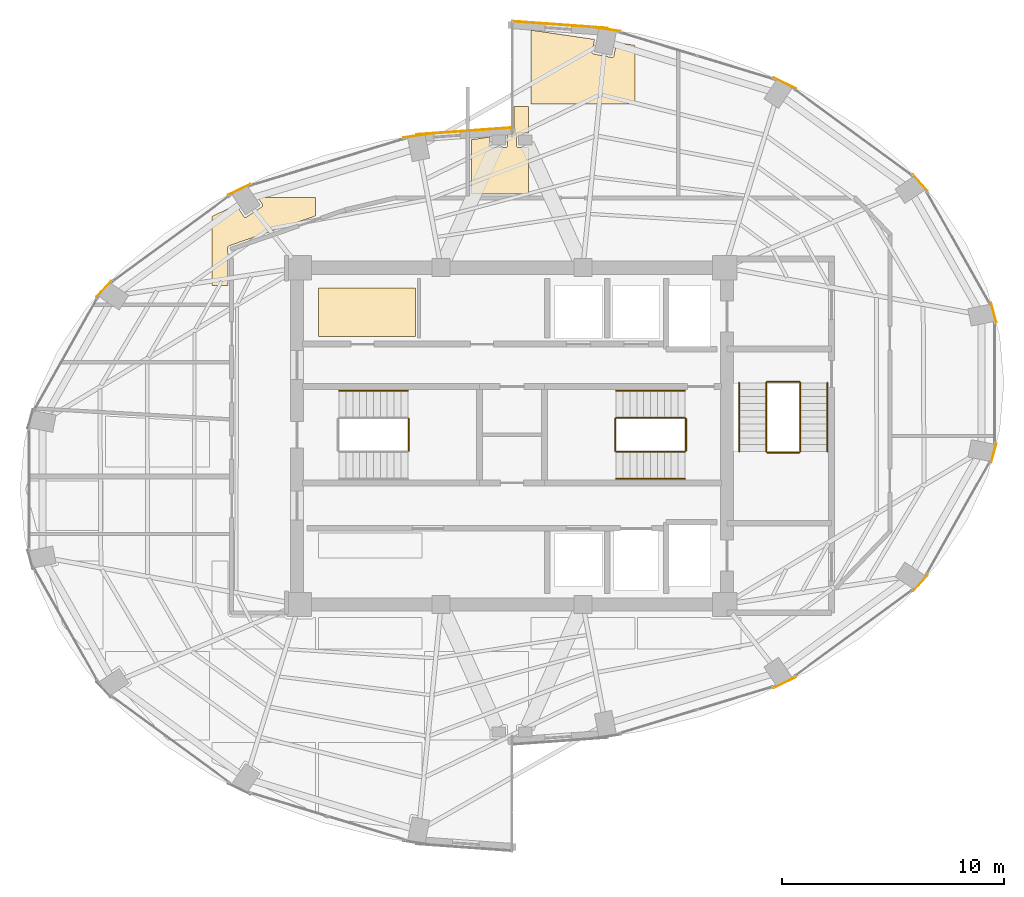
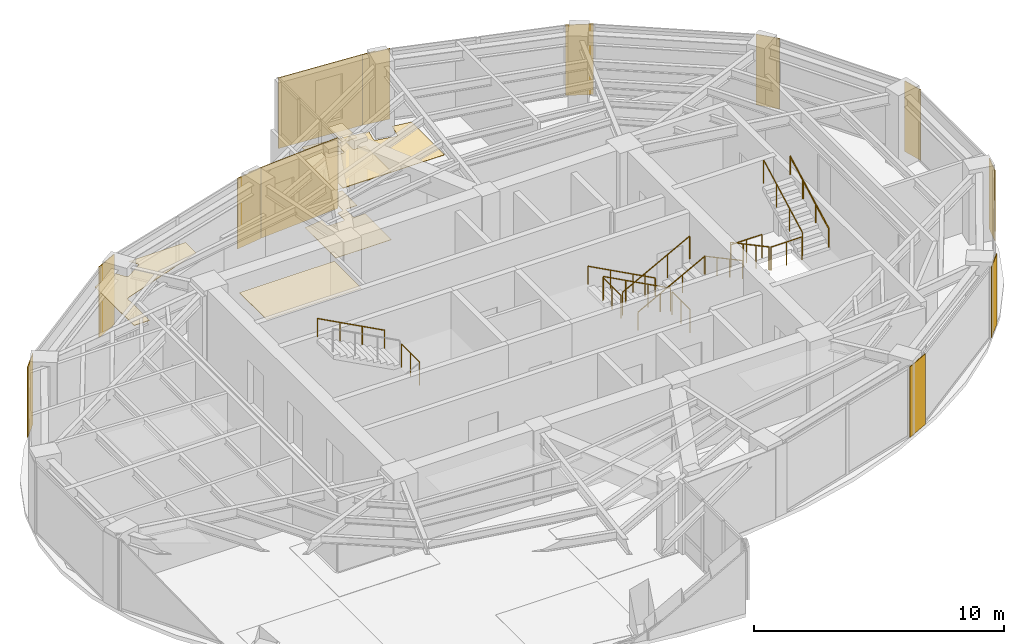
# One storey, part 23 of 23: 17 coverings, 14 railings.
"""IFC4 building model written with IfcOpenShell, lengths in metres."""

import ifcopenshell
import ifcopenshell.guid

model = None  # the IFC model being written
_history = None  # IfcOwnerHistory: only IFC2X3 demands one
_inside = {}  # id of a spatial element -> (the spatial element, [elements in it])
_under = {}  # id of a project, library or spatial element -> (it, [spatial elements below it])
_declared = {}  # id of a project -> (the project, [libraries it declares])
_typed = {}  # id of a type object -> (the type object, [elements of that type])
_made_of = {}  # id of a material, layer set ... -> (it, [elements and type objects made of it])


def new_model(schema):
    """Start an empty IFC model of exactly this schema.

    Asked for "IFC4X3", IfcOpenShell would pick the latest addendum, in which some entities
    have other attributes; the version numbers below select the first issue.
    IFC2X3 requires an IfcOwnerHistory on every rooted entity: one is made here for all.
    """
    global model, _history
    if schema == "IFC4X3":
        model = ifcopenshell.file(schema_version=(4, 3, 0, 0))
    else:
        model = ifcopenshell.file(schema=schema)
    _inside.clear()
    _under.clear()
    _declared.clear()
    _typed.clear()
    _made_of.clear()
    _history = None
    if model.schema == "IFC2X3":
        org = make("IfcOrganization", Name="unknown")
        user = make(
            "IfcPersonAndOrganization",
            ThePerson=make("IfcPerson", FamilyName="unknown"),
            TheOrganization=org,
        )
        app = make(
            "IfcApplication",
            ApplicationDeveloper=org,
            Version="unknown",
            ApplicationFullName="unknown",
            ApplicationIdentifier="unknown",
        )
        _history = make(
            "IfcOwnerHistory",
            OwningUser=user,
            OwningApplication=app,
            ChangeAction="ADDED",
            CreationDate=0,
        )
    return model


def make(cls, **values):
    """One entity of the class cls with the attributes given. An attribute that is None is left unset."""
    return model.create_entity(
        cls, **{name: value for name, value in values.items() if value is not None}
    )


def rooted(cls, **values):
    """An entity with a GlobalId (a new one), such as an element, a storey or a relation."""
    return make(cls, GlobalId=ifcopenshell.guid.new(), OwnerHistory=_history, **values)


def si_unit(unit_type, name, prefix=None):
    """IfcSIUnit, for example si_unit("LENGTHUNIT", "METRE", prefix="MILLI")."""
    return make("IfcSIUnit", UnitType=unit_type, Prefix=prefix, Name=name)


def assignment(units):
    """IfcUnitAssignment: the units of a project."""
    return None if units is None else make("IfcUnitAssignment", Units=units)


def point(xyz):
    """IfcCartesianPoint."""
    return None if xyz is None else make("IfcCartesianPoint", Coordinates=xyz)


def direction(xyz):
    """IfcDirection."""
    return None if xyz is None else make("IfcDirection", DirectionRatios=xyz)


def frame(location, z_axis=None, x_axis=None):
    """IfcAxis2Placement3D, a coordinate frame: its origin and axes. An axis left out is left unset."""
    return make(
        "IfcAxis2Placement3D",
        Location=point(location),
        Axis=direction(z_axis),
        RefDirection=direction(x_axis),
    )


def frame_2d(location, x_axis=None):
    """IfcAxis2Placement2D, a coordinate frame in the plane: its origin and x axis."""
    return make(
        "IfcAxis2Placement2D", Location=point(location), RefDirection=direction(x_axis)
    )


def origin():
    """The frame at (0, 0, 0) with its axes left unset."""
    return frame((0.0, 0.0, 0.0))


def origin_2d():
    """The frame at (0, 0) in the plane with its x axis left unset."""
    return frame_2d((0.0, 0.0))


def place(relative_to, where):
    """IfcLocalPlacement: puts the frame where relative to a parent placement (None: the world)."""
    return make(
        "IfcLocalPlacement", PlacementRelTo=relative_to, RelativePlacement=where
    )


def context(
    kind, dimensions, precision=None, world=None, true_north=None, identifier=None
):
    """IfcGeometricRepresentationContext, for example the 3D "Model" context."""
    return make(
        "IfcGeometricRepresentationContext",
        ContextIdentifier=identifier,
        ContextType=kind,
        CoordinateSpaceDimension=dimensions,
        Precision=precision,
        WorldCoordinateSystem=world,
        TrueNorth=true_north,
    )


def subcontext(parent, identifier, kind, view, scale=None):
    """IfcGeometricRepresentationSubContext, for example "Body" below "Model"."""
    return make(
        "IfcGeometricRepresentationSubContext",
        ContextIdentifier=identifier,
        ContextType=kind,
        ParentContext=parent,
        TargetScale=scale,
        TargetView=view,
    )


def project(units=None, contexts=None):
    """IfcProject with its units and contexts."""
    return rooted(
        "IfcProject",
        Name="project",
        RepresentationContexts=contexts,
        UnitsInContext=assignment(units),
    )


def spatial(cls, under=None, at=None, **own):
    """A site, building, storey or space (cls), placed at a placement, below another one or the project."""
    s = rooted(cls, ObjectPlacement=at, **own)
    if under is not None:
        _under.setdefault(under.id(), (under, []))[1].append(s)
    return s


def polyline(points):
    """IfcPolyline through the points."""
    return make("IfcPolyline", Points=[point(p) for p in points])


def profile(cls, at=None, kind="AREA", **sizes):
    """A parametric profile (cls). Its sizes go by their IFC names, for example OverallWidth=200.0."""
    return make(cls, ProfileType=kind, Position=at, **sizes)


def rectangle(**sizes):
    """IfcRectangleProfileDef."""
    return profile("IfcRectangleProfileDef", **sizes)


def circle(**sizes):
    """IfcCircleProfileDef."""
    return profile("IfcCircleProfileDef", **sizes)


def outline(outer, holes=None, kind="AREA"):
    """IfcArbitraryClosedProfileDef: a profile drawn as a closed curve; with holes, ...WithVoids."""
    if holes is None:
        return make("IfcArbitraryClosedProfileDef", ProfileType=kind, OuterCurve=outer)
    return make(
        "IfcArbitraryProfileDefWithVoids",
        ProfileType=kind,
        OuterCurve=outer,
        InnerCurves=holes,
    )


def extrude(swept, where, along, depth):
    """IfcExtrudedAreaSolid: the profile swept, set in the frame where, extruded along a direction by depth."""
    return make(
        "IfcExtrudedAreaSolid",
        SweptArea=swept,
        Position=where,
        ExtrudedDirection=direction(along),
        Depth=depth,
    )


def shape(context_of_items, identifier, shape_type, items):
    """IfcShapeRepresentation: the items that make up one representation, for example the "Body"."""
    return make(
        "IfcShapeRepresentation",
        ContextOfItems=context_of_items,
        RepresentationIdentifier=identifier,
        RepresentationType=shape_type,
        Items=items,
    )


def material(Name=None, Category=None):
    """IfcMaterial."""
    return make("IfcMaterial", Name=Name, Category=Category)


def layer(
    of_material, thickness, ventilated=None, Name=None, Category=None, Priority=None
):
    """IfcMaterialLayer: one layer of a wall or slab, of a material (None: an air gap)."""
    return make(
        "IfcMaterialLayer",
        Material=of_material,
        LayerThickness=thickness,
        IsVentilated=ventilated,
        Name=Name,
        Category=Category,
        Priority=Priority,
    )


def layer_set(layers, Name=None):
    """IfcMaterialLayerSet."""
    return make("IfcMaterialLayerSet", MaterialLayers=layers, LayerSetName=Name)


def made_of(thing, what):
    """Note that an element or type object is made of a material, layer set ...; save() writes the relation."""
    if what is not None:
        _made_of.setdefault(what.id(), (what, []))[1].append(thing)
    return thing


def type_object(cls, material=None, **own):
    """A type object (cls), such as IfcWallType, which elements share."""
    return made_of(rooted(cls, **own), material)


def element(
    cls,
    number,
    at=None,
    inside=None,
    cuts=None,
    type_object=None,
    material=None,
    context=None,
    identifier="Body",
    shape_type=None,
    held_by="IfcProductDefinitionShape",
    body=None,
    shapes=None,
    **own,
):
    """One element of the class cls, such as IfcWall. Its Tag is "e" and its number.

    at: its placement. inside: the storey or other place that contains it. cuts: it is an
    opening in that element (IfcRelVoidsElement). A single representation is given by context,
    identifier, shape_type and body (its items); several are given by shapes. held_by: the class
    of the entity that holds the representations. save() writes the other relations.
    """
    e = rooted(cls, Tag="e%d" % number, ObjectPlacement=at, **own)
    if body is not None:
        shapes = [shape(context, identifier, shape_type, body)]
    if shapes is not None:
        e.Representation = make(held_by, Representations=shapes)
    if inside is not None:
        _inside.setdefault(inside.id(), (inside, []))[1].append(e)
    if cuts is not None:
        rooted(
            "IfcRelVoidsElement", RelatingBuildingElement=cuts, RelatedOpeningElement=e
        )
    if type_object is not None:
        _typed.setdefault(type_object.id(), (type_object, []))[1].append(e)
    return made_of(e, material)


def aggregate(whole, parts):
    """IfcRelAggregates: a whole, such as a stair, and the parts it consists of."""
    return rooted("IfcRelAggregates", RelatingObject=whole, RelatedObjects=parts)


def save(model, path):
    """Write the relations noted so far, then the file.

    IfcRelAggregates (storeys below a building ...), IfcRelContainedInSpatialStructure (elements
    in a storey), IfcRelDefinesByType, IfcRelAssociatesMaterial and IfcRelDeclares: one each for
    every whole, place, type object, material and project.
    """
    for whole, parts in _under.values():
        aggregate(whole, parts)
    for where, things in _inside.values():
        rooted(
            "IfcRelContainedInSpatialStructure",
            RelatedElements=things,
            RelatingStructure=where,
        )
    for kind, things in _typed.values():
        rooted("IfcRelDefinesByType", RelatedObjects=things, RelatingType=kind)
    for what, things in _made_of.values():
        rooted("IfcRelAssociatesMaterial", RelatedObjects=things, RelatingMaterial=what)
    for by, libraries in _declared.values():
        rooted("IfcRelDeclares", RelatingContext=by, RelatedDefinitions=libraries)
    model.write(path)


model = new_model("IFC4")

# Units and contexts
model_context = context("Model", 3, precision=1e-05, world=origin(), true_north=direction((0.0, 1.0)))
body_context = subcontext(model_context, "Body", "Model", "MODEL_VIEW")
ifc_project = project(units=[si_unit("LENGTHUNIT", "METRE"), si_unit("AREAUNIT", "SQUARE_METRE"), si_unit("VOLUMEUNIT", "CUBIC_METRE"), si_unit("PLANEANGLEUNIT", "RADIAN"), si_unit("MASSUNIT", "GRAM", prefix="KILO")], contexts=[model_context])

# Site, building, storey
site_placement = place(None, origin())
site = spatial("IfcSite", under=ifc_project, at=site_placement, CompositionType="ELEMENT")
building_placement = place(site_placement, origin())
building = spatial("IfcBuilding", under=site, at=building_placement, Name="Lazwardi Medical Tower", CompositionType="ELEMENT")
storey_placement = place(building_placement, frame((0.0, 0.0, 205.77587890625)))
storey = spatial("IfcBuildingStorey", under=building, at=storey_placement, Name="L53", CompositionType="ELEMENT", Elevation=205.77587890625)

# Coverings
ifc_material_1 = material(Name="Anodised bronze aluminium cassette cladding", Category="aluminium")
ifc_layer_1 = layer(ifc_material_1, 0.030029296875)
ifc_layer_set_1 = layer_set([ifc_layer_1], Name="Anodised bronze aluminium cassette cladding")
covering_type_1 = type_object("IfcCoveringType", Name="COV-CLD-BRZ", PredefinedType="CLADDING", material=ifc_layer_set_1)
covering_1_placement = place(storey_placement, frame((48.311279296875, 16.878662109375, 0.0), z_axis=(0.0, 0.0, 1.0), x_axis=(0.897840141691, 0.440321564278, 0.0)))
element("IfcCovering", 1, at=covering_1_placement, inside=storey, type_object=covering_type_1, Name="L53 Mega-column bronze cassette cover M02", PredefinedType="CLADDING", context=body_context, shape_type="SweptSolid", body=[
    extrude(rectangle(XDim=1.110595703125, YDim=0.030029296875, at=origin_2d()), origin(), (0.0, 0.0, 1.0), 3.447998046875),
])
covering_2_placement = place(storey_placement, frame((54.42529296875, 21.365234375, 0.0), z_axis=(0.0, 0.0, 1.0), x_axis=(0.673240970654, 0.739423150458, 0.0)))
element("IfcCovering", 2, at=covering_2_placement, inside=storey, type_object=covering_type_1, Name="L53 Mega-column bronze cassette cover M03", PredefinedType="CLADDING", context=body_context, shape_type="SweptSolid", body=[
    extrude(rectangle(XDim=0.98974609375, YDim=0.030029296875, at=origin_2d()), origin(), (0.0, 0.0, 1.0), 3.447998046875),
])
for number, where, z_axis, x_axis, name in (
    (3, (57.734130859375, 27.227294921875, 0.0), (0.0, 0.0, 1.0), (0.261641748247, 0.96516506131, 0.0), "L53 Mega-column bronze cassette cover M04"),
    (4, (57.734130859375, 33.572509765625, 0.0), (0.0, 0.0, 1.0), (-0.261641748247, 0.96516506131, 0.0), "L53 Mega-column bronze cassette cover M05"),
):
    element("IfcCovering", number, at=place(storey_placement, frame(where, z_axis=z_axis, x_axis=x_axis)), inside=storey, type_object=covering_type_1, Name=name, PredefinedType="CLADDING", context=body_context, shape_type="SweptSolid", body=[
        extrude(rectangle(XDim=0.894287109375, YDim=0.030029296875, at=origin_2d()), origin(), (0.0, 0.0, 1.0), 3.447998046875),
    ])
covering_3_placement = place(storey_placement, frame((54.42529296875, 39.434814453125, 0.0), z_axis=(0.0, 0.0, 1.0), x_axis=(-0.673240970654, 0.739423150458, 0.0)))
element("IfcCovering", 5, at=covering_3_placement, inside=storey, type_object=covering_type_1, Name="L53 Mega-column bronze cassette cover M06", PredefinedType="CLADDING", context=body_context, shape_type="SweptSolid", body=[
    extrude(rectangle(XDim=0.98974609375, YDim=0.030029296875, at=origin_2d()), origin(), (0.0, 0.0, 1.0), 3.447998046875),
])
covering_4_placement = place(storey_placement, frame((48.311279296875, 43.92138671875, 0.0), z_axis=(0.0, 0.0, 1.0), x_axis=(-0.897840141691, 0.440321564278, 0.0)))
element("IfcCovering", 6, at=covering_4_placement, inside=storey, type_object=covering_type_1, Name="L53 Mega-column bronze cassette cover M07", PredefinedType="CLADDING", context=body_context, shape_type="SweptSolid", body=[
    extrude(rectangle(XDim=1.110595703125, YDim=0.030029296875, at=origin_2d()), origin(), (0.0, 0.0, 1.0), 3.447998046875),
])
for number, where, z_axis, x_axis, name in (
    (7, (40.3232421875, 46.349609375, 0.0), (0.0, 0.0, 1.0), (-0.989512431533, 0.144447733943, 0.0), "L53 Mega-column bronze cassette cover M08"),
    (8, (31.6767578125, 41.549560546875, 0.0), (0.0, 0.0, 1.0), (-0.989512431533, -0.144447733943, 0.0), "L53 Mega-column bronze cassette cover M09"),
):
    element("IfcCovering", number, at=place(storey_placement, frame(where, z_axis=z_axis, x_axis=x_axis)), inside=storey, type_object=covering_type_1, Name=name, PredefinedType="CLADDING", context=body_context, shape_type="SweptSolid", body=[
        extrude(rectangle(XDim=1.188720703125, YDim=0.030029296875, at=origin_2d()), origin(), (0.0, 0.0, 1.0), 3.447998046875),
    ])
covering_5_placement = place(storey_placement, frame((23.688720703125, 39.121337890625, 0.0), z_axis=(0.0, 0.0, 1.0), x_axis=(-0.897840141691, -0.440321564278, 0.0)))
element("IfcCovering", 9, at=covering_5_placement, inside=storey, type_object=covering_type_1, Name="L53 Mega-column bronze cassette cover M10", PredefinedType="CLADDING", context=body_context, shape_type="SweptSolid", body=[
    extrude(rectangle(XDim=1.110595703125, YDim=0.030029296875, at=origin_2d()), origin(), (0.0, 0.0, 1.0), 3.447998046875),
])
covering_6_placement = place(storey_placement, frame((17.57470703125, 34.634765625, 0.0), z_axis=(0.0, 0.0, 1.0), x_axis=(-0.673240970654, -0.739423150458, 0.0)))
element("IfcCovering", 10, at=covering_6_placement, inside=storey, type_object=covering_type_1, Name="L53 Mega-column bronze cassette cover M11", PredefinedType="CLADDING", context=body_context, shape_type="SweptSolid", body=[
    extrude(rectangle(XDim=0.98974609375, YDim=0.030029296875, at=origin_2d()), origin(), (0.0, 0.0, 1.0), 3.447998046875),
])
ifc_material_2 = material(Name="Turquoise glazed ceramic tilework cladding", Category="masonry")
ifc_layer_2 = layer(ifc_material_2, 0.034912109375)
ifc_layer_set_2 = layer_set([ifc_layer_2], Name="Turquoise glazed ceramic tilework cladding")
covering_type_2 = type_object("IfcCoveringType", Name="COV-CLD-TRQ", PredefinedType="CLADDING", material=ifc_layer_set_2)
covering_7_placement = place(storey_placement, frame((38.16259765625, 46.56005859375, 0.0), z_axis=(0.0, 0.0, 1.0), x_axis=(-0.997409491337, 0.071932653157, 0.0)))
element("IfcCovering", 11, at=covering_7_placement, inside=storey, type_object=covering_type_2, Name="L53 Turquoise glazed ceramic tilework cladding", PredefinedType="CLADDING", context=body_context, shape_type="SweptSolid", body=[
    extrude(rectangle(XDim=4.31103515625, YDim=0.034912109375, at=origin_2d()), origin(), (0.0, 0.0, 1.0), 3.447998046875),
])
covering_8_placement = place(storey_placement, frame((33.83740234375, 41.760009765625, 0.0), z_axis=(0.0, 0.0, 1.0), x_axis=(-0.997408989128, -0.071939616387, 0.0)))
element("IfcCovering", 12, at=covering_8_placement, inside=storey, type_object=covering_type_2, Name="L53 Turquoise glazed ceramic tilework cladding", PredefinedType="CLADDING", context=body_context, shape_type="SweptSolid", body=[
    extrude(rectangle(XDim=4.310546875, YDim=0.034912109375, at=origin_2d()), origin(), (0.0, 0.0, 1.0), 3.447998046875),
])
ifc_material_3 = material(Name="Acoustic mineral fibre tile")
ifc_layer_3 = layer(ifc_material_3, 0.02490234375)
ifc_layer_set_3 = layer_set([ifc_layer_3], Name="Acoustic mineral fibre tile")
covering_type_3 = type_object("IfcCoveringType", Name="COV-CLG-01", PredefinedType="CEILING", material=ifc_layer_set_3)
covering_9_placement = place(storey_placement, frame((0.0, 0.0, 3.30322265625)))
element("IfcCovering", 13, at=covering_9_placement, inside=storey, type_object=covering_type_3, Name="L53 Clinical Acoustic Ceiling 5", PredefinedType="CEILING", context=body_context, shape_type="SweptSolid", body=[
    extrude(outline(polyline([(24.52197265625, 38.7724609375), (24.732177734375, 38.4580078125), (24.736083984375, 38.451171875), (24.739501953125, 38.444091796875), (24.7421875, 38.436767578125), (24.744140625, 38.42919921875), (24.7451171875, 38.42138671875), (24.74560546875, 38.41357421875), (24.7451171875, 38.40576171875), (24.744140625, 38.39794921875), (24.7421875, 38.390380859375), (24.739501953125, 38.3828125), (24.736083984375, 38.375732421875), (24.732177734375, 38.369140625), (24.727294921875, 38.36279296875), (24.72216796875, 38.35693359375), (24.71630859375, 38.351806640625), (24.7099609375, 38.346923828125), (24.01171875, 37.88037109375), (24.0048828125, 37.876220703125), (23.997802734375, 37.872802734375), (23.990478515625, 37.8701171875), (23.98291015625, 37.868408203125), (23.97509765625, 37.8671875), (23.96728515625, 37.86669921875), (23.95947265625, 37.8671875), (23.95166015625, 37.868408203125), (23.944091796875, 37.8701171875), (23.9365234375, 37.872802734375), (23.929443359375, 37.876220703125), (23.9228515625, 37.88037109375), (23.91650390625, 37.885009765625), (23.91064453125, 37.89013671875), (23.905517578125, 37.89599609375), (23.900634765625, 37.90234375), (23.545654296875, 38.43359375), (22.462890625, 37.904052734375), (22.462890625, 34.79248046875), (23.175048828125, 34.79248046875), (23.175048828125, 35.982421875), (23.175048828125, 35.986572265625), (23.175537109375, 35.99609375), (23.176513671875, 36.00439453125), (23.177978515625, 36.01416015625), (23.179443359375, 36.021484375), (23.181884765625, 36.031005859375), (23.1845703125, 36.039306640625), (23.18798828125, 36.04833984375), (23.191162109375, 36.055419921875), (23.1953125, 36.064208984375), (23.199462890625, 36.071533203125), (23.20458984375, 36.079833984375), (23.209228515625, 36.086181640625), (23.212158203125, 36.090087890625), (23.1591796875, 36.40625), (23.15869140625, 36.410400390625), (23.15771484375, 36.419921875), (23.156982421875, 36.42724609375), (23.156982421875, 36.436767578125), (23.1572265625, 36.446044921875), (23.158203125, 36.45556640625), (23.1591796875, 36.462158203125), (23.160888671875, 36.4716796875), (23.162841796875, 36.480224609375), (23.16552734375, 36.4892578125), (23.16796875, 36.49658203125), (23.171630859375, 36.50537109375), (23.1748046875, 36.512451171875), (23.17919921875, 36.52099609375), (23.183837890625, 36.5283203125), (23.189208984375, 36.536376953125), (23.19384765625, 36.54248046875), (23.199951171875, 36.550048828125), (23.205078125, 36.5556640625), (23.211669921875, 36.5625), (23.218017578125, 36.56787109375), (23.225341796875, 36.573974609375), (23.2314453125, 36.57861328125), (23.239501953125, 36.583740234375), (23.24658203125, 36.587890625), (23.2548828125, 36.59228515625), (23.2626953125, 36.595947265625), (23.271728515625, 36.599365234375), (23.27490234375, 36.6005859375), (27.142822265625, 37.932861328125), (27.142822265625, 38.7724609375), (24.52197265625, 38.7724609375)])), origin(), (0.0, 0.0, 1.0), 0.02490234375),
])
covering_10_placement = place(storey_placement, frame((0.0, 0.0, 3.30322265625)))
element("IfcCovering", 14, at=covering_10_placement, inside=storey, type_object=covering_type_3, Name="L53 Clinical Acoustic Ceiling 7", PredefinedType="CEILING", context=body_context, shape_type="SweptSolid", body=[
    extrude(outline(polyline([(27.262939453125, 32.5), (31.639892578125, 32.5), (31.639892578125, 34.672607421875), (27.262939453125, 34.672607421875), (27.262939453125, 32.5)])), origin(), (0.0, 0.0, 1.0), 0.02490234375),
])
covering_11_placement = place(storey_placement, frame((0.0, 0.0, 3.30322265625)))
element("IfcCovering", 15, at=covering_11_placement, inside=storey, type_object=covering_type_3, Name="L53 Clinical Acoustic Ceiling 9", PredefinedType="CEILING", context=body_context, shape_type="SweptSolid", body=[
    extrude(outline(polyline([(36.742919921875, 41.02490234375), (36.280029296875, 41.02490234375), (36.272216796875, 41.025390625), (36.264404296875, 41.026611328125), (36.2568359375, 41.0283203125), (36.24951171875, 41.031005859375), (36.2421875, 41.034423828125), (36.235595703125, 41.03857421875), (36.229248046875, 41.043212890625), (36.223388671875, 41.04833984375), (36.21826171875, 41.05419921875), (36.21337890625, 41.060546875), (36.20947265625, 41.0673828125), (36.2060546875, 41.074462890625), (36.203369140625, 41.081787109375), (36.201416015625, 41.08935546875), (36.200439453125, 41.09716796875), (36.199951171875, 41.10498046875), (36.199951171875, 41.594970703125), (36.200439453125, 41.602783203125), (36.201416015625, 41.610595703125), (36.203369140625, 41.6181640625), (36.2060546875, 41.62548828125), (36.20947265625, 41.6328125), (36.21337890625, 41.639404296875), (36.21826171875, 41.645751953125), (36.223388671875, 41.651611328125), (36.229248046875, 41.65673828125), (36.235595703125, 41.66162109375), (36.2421875, 41.66552734375), (36.24951171875, 41.6689453125), (36.2568359375, 41.671630859375), (36.264404296875, 41.673583984375), (36.272216796875, 41.674560546875), (36.280029296875, 41.675048828125), (36.742919921875, 41.675048828125), (36.742919921875, 42.87255859375), (36.080078125, 42.87255859375), (36.080078125, 41.719970703125), (36.07958984375, 41.71240234375), (36.07861328125, 41.704833984375), (36.076904296875, 41.697509765625), (36.07421875, 41.690185546875), (36.071044921875, 41.683349609375), (36.0673828125, 41.6767578125), (36.06298828125, 41.670654296875), (36.05810546875, 41.664794921875), (36.052490234375, 41.65966796875), (36.04638671875, 41.65478515625), (36.0400390625, 41.65087890625), (36.033203125, 41.647216796875), (36.0263671875, 41.644287109375), (36.01904296875, 41.642333984375), (36.011474609375, 41.640869140625), (35.798583984375, 41.60986328125), (35.799560546875, 41.602783203125), (35.800048828125, 41.594970703125), (35.800048828125, 41.10498046875), (35.799560546875, 41.09716796875), (35.798583984375, 41.08935546875), (35.796630859375, 41.081787109375), (35.7939453125, 41.074462890625), (35.79052734375, 41.0673828125), (35.78662109375, 41.060546875), (35.78173828125, 41.05419921875), (35.776611328125, 41.04833984375), (35.770751953125, 41.043212890625), (35.764404296875, 41.03857421875), (35.7578125, 41.034423828125), (35.75048828125, 41.031005859375), (35.7431640625, 41.0283203125), (35.735595703125, 41.026611328125), (35.727783203125, 41.025390625), (35.719970703125, 41.02490234375), (35.080078125, 41.02490234375), (35.072265625, 41.025390625), (35.064453125, 41.026611328125), (35.056884765625, 41.0283203125), (35.04931640625, 41.031005859375), (35.042236328125, 41.034423828125), (35.03564453125, 41.03857421875), (35.029296875, 41.043212890625), (35.0234375, 41.04833984375), (35.018310546875, 41.05419921875), (35.013427734375, 41.060546875), (35.009521484375, 41.0673828125), (35.006103515625, 41.074462890625), (35.00341796875, 41.081787109375), (35.00146484375, 41.08935546875), (35.00048828125, 41.09716796875), (35.0, 41.10498046875), (35.0, 41.493408203125), (34.1650390625, 41.371826171875), (34.1650390625, 38.925048828125), (36.742919921875, 38.925048828125), (36.742919921875, 41.02490234375)])), origin(), (0.0, 0.0, 1.0), 0.02490234375),
])
ifc_material_4 = material(Name="Anti-static hospital vinyl sheet flooring")
ifc_layer_4 = layer(ifc_material_4, 0.014892578125)
ifc_layer_set_4 = layer_set([ifc_layer_4], Name="Anti-static hospital vinyl sheet flooring")
covering_type_4 = type_object("IfcCoveringType", Name="COV-FLR-01", PredefinedType="FLOORING", material=ifc_layer_set_4)
covering_12_placement = place(storey_placement, origin())
element("IfcCovering", 16, at=covering_12_placement, inside=storey, type_object=covering_type_4, Name="L53 Clinical Vinyl Flooring 8", PredefinedType="FLOORING", context=body_context, shape_type="SweptSolid", body=[
    extrude(outline(polyline([(36.742919921875, 41.02490234375), (36.280029296875, 41.02490234375), (36.272216796875, 41.025390625), (36.264404296875, 41.026611328125), (36.2568359375, 41.0283203125), (36.24951171875, 41.031005859375), (36.2421875, 41.034423828125), (36.235595703125, 41.03857421875), (36.229248046875, 41.043212890625), (36.223388671875, 41.04833984375), (36.21826171875, 41.05419921875), (36.21337890625, 41.060546875), (36.20947265625, 41.0673828125), (36.2060546875, 41.074462890625), (36.203369140625, 41.081787109375), (36.201416015625, 41.08935546875), (36.200439453125, 41.09716796875), (36.199951171875, 41.10498046875), (36.199951171875, 41.594970703125), (36.200439453125, 41.602783203125), (36.201416015625, 41.610595703125), (36.203369140625, 41.6181640625), (36.2060546875, 41.62548828125), (36.20947265625, 41.6328125), (36.21337890625, 41.639404296875), (36.21826171875, 41.645751953125), (36.223388671875, 41.651611328125), (36.229248046875, 41.65673828125), (36.235595703125, 41.66162109375), (36.2421875, 41.66552734375), (36.24951171875, 41.6689453125), (36.2568359375, 41.671630859375), (36.264404296875, 41.673583984375), (36.272216796875, 41.674560546875), (36.280029296875, 41.675048828125), (36.742919921875, 41.675048828125), (36.742919921875, 42.87255859375), (36.080078125, 42.87255859375), (36.080078125, 41.719970703125), (36.07958984375, 41.71240234375), (36.07861328125, 41.704833984375), (36.076904296875, 41.697509765625), (36.07421875, 41.690185546875), (36.071044921875, 41.683349609375), (36.0673828125, 41.6767578125), (36.06298828125, 41.670654296875), (36.05810546875, 41.664794921875), (36.052490234375, 41.65966796875), (36.04638671875, 41.65478515625), (36.0400390625, 41.65087890625), (36.033203125, 41.647216796875), (36.0263671875, 41.644287109375), (36.01904296875, 41.642333984375), (36.011474609375, 41.640869140625), (35.798583984375, 41.60986328125), (35.799560546875, 41.602783203125), (35.800048828125, 41.594970703125), (35.800048828125, 41.10498046875), (35.799560546875, 41.09716796875), (35.798583984375, 41.08935546875), (35.796630859375, 41.081787109375), (35.7939453125, 41.074462890625), (35.79052734375, 41.0673828125), (35.78662109375, 41.060546875), (35.78173828125, 41.05419921875), (35.776611328125, 41.04833984375), (35.770751953125, 41.043212890625), (35.764404296875, 41.03857421875), (35.7578125, 41.034423828125), (35.75048828125, 41.031005859375), (35.7431640625, 41.0283203125), (35.735595703125, 41.026611328125), (35.727783203125, 41.025390625), (35.719970703125, 41.02490234375), (35.080078125, 41.02490234375), (35.072265625, 41.025390625), (35.064453125, 41.026611328125), (35.056884765625, 41.0283203125), (35.04931640625, 41.031005859375), (35.042236328125, 41.034423828125), (35.03564453125, 41.03857421875), (35.029296875, 41.043212890625), (35.0234375, 41.04833984375), (35.018310546875, 41.05419921875), (35.013427734375, 41.060546875), (35.009521484375, 41.0673828125), (35.006103515625, 41.074462890625), (35.00341796875, 41.081787109375), (35.00146484375, 41.08935546875), (35.00048828125, 41.09716796875), (35.0, 41.10498046875), (35.0, 41.493408203125), (34.1650390625, 41.371826171875), (34.1650390625, 38.925048828125), (36.742919921875, 38.925048828125), (36.742919921875, 41.02490234375)])), origin(), (0.0, 0.0, 1.0), 0.01513671875),
])
covering_13_placement = place(storey_placement, origin())
element("IfcCovering", 17, at=covering_13_placement, inside=storey, type_object=covering_type_4, Name="L53 Clinical Vinyl Flooring 10", PredefinedType="FLOORING", context=body_context, shape_type="SweptSolid", body=[
    extrude(outline(polyline([(41.54296875, 45.632080078125), (40.714599609375, 45.752685546875), (40.59326171875, 45.1416015625), (40.59130859375, 45.134033203125), (40.588623046875, 45.126708984375), (40.585205078125, 45.11962890625), (40.581298828125, 45.11279296875), (40.576416015625, 45.1064453125), (40.5712890625, 45.1005859375), (40.5654296875, 45.095458984375), (40.55908203125, 45.0908203125), (40.552490234375, 45.086669921875), (40.54541015625, 45.08349609375), (40.537841796875, 45.080810546875), (40.5302734375, 45.078857421875), (40.5224609375, 45.07763671875), (40.5146484375, 45.077392578125), (40.5068359375, 45.07763671875), (40.4990234375, 45.078857421875), (39.67529296875, 45.24267578125), (39.667724609375, 45.24462890625), (39.660400390625, 45.247314453125), (39.6533203125, 45.25048828125), (39.646484375, 45.254638671875), (39.64013671875, 45.259521484375), (39.63427734375, 45.2646484375), (39.629150390625, 45.2705078125), (39.62451171875, 45.27685546875), (39.620361328125, 45.283447265625), (39.616943359375, 45.29052734375), (39.6142578125, 45.298095703125), (39.6123046875, 45.3056640625), (39.611328125, 45.3134765625), (39.61083984375, 45.3212890625), (39.611328125, 45.3291015625), (39.6123046875, 45.3369140625), (39.723876953125, 45.89697265625), (36.86279296875, 46.3134765625), (36.86279296875, 42.992431640625), (41.54296875, 42.992431640625), (41.54296875, 45.632080078125)])), origin(), (0.0, 0.0, 1.0), 0.01513671875),
])

# Railings
ifc_material_5 = material(Name="Stainless steel Grade 316", Category="steel")
railing_type_1 = type_object("IfcRailingType", Name="RLG-GRD-1150", PredefinedType="GUARDRAIL", material=ifc_material_5)
railing_1_placement = place(storey_placement, frame((31.35009765625, 27.340087890625, 1.82421875)))
element("IfcRailing", 18, at=railing_1_placement, inside=storey, type_object=railing_type_1, Name="L53 ST1 stair guard 2", PredefinedType="GUARDRAIL", context=body_context, shape_type="SweptSolid", body=[
    extrude(circle(Radius=0.02392578125, at=origin_2d()), frame((0.0, 0.0, 1.1259765625), z_axis=(0.0, 1.0, 0.0), x_axis=(-1.0, 0.0, 0.0)), (0.0, 0.0, 1.0), 1.43994140625),
    extrude(circle(Radius=0.02099609375, at=origin_2d()), origin(), (0.0, 0.0, 1.0), 1.099853515625),
    extrude(circle(Radius=0.02099609375, at=origin_2d()), frame((0.0, 0.719970703125, 0.0)), (0.0, 0.0, 1.0), 1.099853515625),
    extrude(circle(Radius=0.02099609375, at=origin_2d()), frame((0.0, 1.43994140625, 0.0)), (0.0, 0.0, 1.0), 1.099853515625),
])
railing_2_placement = place(storey_placement, frame((43.800048828125, 28.830078125, 0.166015625)))
element("IfcRailing", 19, at=railing_2_placement, inside=storey, type_object=railing_type_1, Name="L53 ST2 stair guard 1", PredefinedType="GUARDRAIL", context=body_context, shape_type="SweptSolid", body=[
    extrude(circle(Radius=0.02392578125, at=origin_2d()), frame((0.0, 0.0, 1.1259765625), z_axis=(-0.881783298633, 0.0, 0.471654761719), x_axis=(0.0, -1.0, 0.0)), (0.0, 0.0, 1.0), 3.515625),
    extrude(circle(Radius=0.02099609375, at=origin_2d()), origin(), (0.0, 0.0, 1.0), 1.099853515625),
    extrude(circle(Radius=0.02099609375, at=origin_2d()), frame((-1.033447265625, 0.0, 0.552734375)), (0.0, 0.0, 1.0), 1.099853515625),
    extrude(circle(Radius=0.02099609375, at=origin_2d()), frame((-2.066650390625, 0.0, 1.10546875)), (0.0, 0.0, 1.0), 1.099853515625),
    extrude(circle(Radius=0.02099609375, at=origin_2d()), frame((-3.10009765625, 0.0, 1.658203125)), (0.0, 0.0, 1.0), 1.099853515625),
])
railing_3_placement = place(storey_placement, frame((40.64990234375, 28.780029296875, 1.82421875)))
element("IfcRailing", 20, at=railing_3_placement, inside=storey, type_object=railing_type_1, Name="L53 ST2 stair guard 2", PredefinedType="GUARDRAIL", context=body_context, shape_type="SweptSolid", body=[
    extrude(circle(Radius=0.02392578125, at=origin_2d()), frame((0.0, 0.0, 1.1259765625), z_axis=(0.0, -1.0, 0.0), x_axis=(1.0, 0.0, 0.0)), (0.0, 0.0, 1.0), 1.43994140625),
    extrude(circle(Radius=0.02099609375, at=origin_2d()), origin(), (0.0, 0.0, 1.0), 1.099853515625),
    extrude(circle(Radius=0.02099609375, at=origin_2d()), frame((0.0, -0.719970703125, 0.0)), (0.0, 0.0, 1.0), 1.099853515625),
    extrude(circle(Radius=0.02099609375, at=origin_2d()), frame((0.0, -1.43994140625, 0.0)), (0.0, 0.0, 1.0), 1.099853515625),
])
railing_4_placement = place(storey_placement, frame((40.699951171875, 27.2900390625, 1.989990234375)))
element("IfcRailing", 21, at=railing_4_placement, inside=storey, type_object=railing_type_1, Name="L53 ST2 stair guard 3", PredefinedType="GUARDRAIL", context=body_context, shape_type="SweptSolid", body=[
    extrude(circle(Radius=0.02392578125, at=origin_2d()), frame((0.0, 0.0, 1.1259765625), z_axis=(0.881783298633, 0.0, 0.471654761719), x_axis=(0.0, 1.0, 0.0)), (0.0, 0.0, 1.0), 3.515625),
    extrude(circle(Radius=0.02099609375, at=origin_2d()), origin(), (0.0, 0.0, 1.0), 1.099853515625),
    extrude(circle(Radius=0.02099609375, at=origin_2d()), frame((1.033447265625, 0.0, 0.552734375)), (0.0, 0.0, 1.0), 1.099853515625),
    extrude(circle(Radius=0.02099609375, at=origin_2d()), frame((2.066650390625, 0.0, 1.10546875)), (0.0, 0.0, 1.0), 1.099853515625),
    extrude(circle(Radius=0.02099609375, at=origin_2d()), frame((3.10009765625, 0.0, 1.658203125)), (0.0, 0.0, 1.0), 1.099853515625),
])
railing_5_placement = place(storey_placement, frame((43.85009765625, 28.780029296875, 0.0)))
element("IfcRailing", 22, at=railing_5_placement, inside=storey, type_object=railing_type_1, Name="L53 ST2 stair guard 4", PredefinedType="GUARDRAIL", context=body_context, shape_type="SweptSolid", body=[
    extrude(circle(Radius=0.02392578125, at=origin_2d()), frame((0.0, 0.0, 1.1259765625), z_axis=(0.0, -1.0, 0.0), x_axis=(1.0, 0.0, 0.0)), (0.0, 0.0, 1.0), 1.43994140625),
    extrude(circle(Radius=0.02099609375, at=origin_2d()), origin(), (0.0, 0.0, 1.0), 1.099853515625),
    extrude(circle(Radius=0.02099609375, at=origin_2d()), frame((0.0, -0.719970703125, 0.0)), (0.0, 0.0, 1.0), 1.099853515625),
    extrude(circle(Radius=0.02099609375, at=origin_2d()), frame((0.0, -1.43994140625, 0.0)), (0.0, 0.0, 1.0), 1.099853515625),
])
railing_6_placement = place(storey_placement, frame((47.469970703125, 30.39990234375, 0.166015625)))
element("IfcRailing", 23, at=railing_6_placement, inside=storey, type_object=railing_type_1, Name="L53 ST3 stair guard 1", PredefinedType="GUARDRAIL", context=body_context, shape_type="SweptSolid", body=[
    extrude(circle(Radius=0.02392578125, at=origin_2d()), frame((0.0, 0.0, 1.1259765625), z_axis=(0.0, -0.881767849116, 0.471683644262), x_axis=(1.0, 0.0, 0.0)), (0.0, 0.0, 1.0), 3.515380859375),
    extrude(circle(Radius=0.02099609375, at=origin_2d()), origin(), (0.0, 0.0, 1.0), 1.099853515625),
    extrude(circle(Radius=0.02099609375, at=origin_2d()), frame((0.0, -1.033203125, 0.552734375)), (0.0, 0.0, 1.0), 1.099853515625),
    extrude(circle(Radius=0.02099609375, at=origin_2d()), frame((0.0, -2.066650390625, 1.10546875)), (0.0, 0.0, 1.0), 1.099853515625),
    extrude(circle(Radius=0.02099609375, at=origin_2d()), frame((0.0, -3.099853515625, 1.658203125)), (0.0, 0.0, 1.0), 1.099853515625),
])
railing_7_placement = place(storey_placement, frame((47.52001953125, 27.25, 1.82421875)))
element("IfcRailing", 24, at=railing_7_placement, inside=storey, type_object=railing_type_1, Name="L53 ST3 stair guard 2", PredefinedType="GUARDRAIL", context=body_context, shape_type="SweptSolid", body=[
    extrude(circle(Radius=0.02392578125, at=origin_2d()), frame((0.0, 0.0, 1.1259765625), z_axis=(1.0, 0.0, 0.0), x_axis=(0.0, 1.0, 0.0)), (0.0, 0.0, 1.0), 1.43994140625),
    extrude(circle(Radius=0.02099609375, at=origin_2d()), origin(), (0.0, 0.0, 1.0), 1.099853515625),
    extrude(circle(Radius=0.02099609375, at=origin_2d()), frame((0.719970703125, 0.0, 0.0)), (0.0, 0.0, 1.0), 1.099853515625),
    extrude(circle(Radius=0.02099609375, at=origin_2d()), frame((1.43994140625, 0.0, 0.0)), (0.0, 0.0, 1.0), 1.099853515625),
])
railing_8_placement = place(storey_placement, frame((49.010009765625, 27.300048828125, 1.989990234375)))
element("IfcRailing", 25, at=railing_8_placement, inside=storey, type_object=railing_type_1, Name="L53 ST3 stair guard 3", PredefinedType="GUARDRAIL", context=body_context, shape_type="SweptSolid", body=[
    extrude(circle(Radius=0.02392578125, at=origin_2d()), frame((0.0, 0.0, 1.1259765625), z_axis=(0.0, 0.881767849116, 0.471683644262), x_axis=(-1.0, 0.0, 0.0)), (0.0, 0.0, 1.0), 3.515380859375),
    extrude(circle(Radius=0.02099609375, at=origin_2d()), origin(), (0.0, 0.0, 1.0), 1.099853515625),
    extrude(circle(Radius=0.02099609375, at=origin_2d()), frame((0.0, 1.033203125, 0.552734375)), (0.0, 0.0, 1.0), 1.099853515625),
    extrude(circle(Radius=0.02099609375, at=origin_2d()), frame((0.0, 2.066650390625, 1.10546875)), (0.0, 0.0, 1.0), 1.099853515625),
    extrude(circle(Radius=0.02099609375, at=origin_2d()), frame((0.0, 3.099853515625, 1.658203125)), (0.0, 0.0, 1.0), 1.099853515625),
])
railing_9_placement = place(storey_placement, frame((47.52001953125, 30.449951171875, 0.0)))
element("IfcRailing", 26, at=railing_9_placement, inside=storey, type_object=railing_type_1, Name="L53 ST3 stair guard 4", PredefinedType="GUARDRAIL", context=body_context, shape_type="SweptSolid", body=[
    extrude(circle(Radius=0.02392578125, at=origin_2d()), frame((0.0, 0.0, 1.1259765625), z_axis=(1.0, 0.0, 0.0), x_axis=(0.0, 1.0, 0.0)), (0.0, 0.0, 1.0), 1.43994140625),
    extrude(circle(Radius=0.02099609375, at=origin_2d()), origin(), (0.0, 0.0, 1.0), 1.099853515625),
    extrude(circle(Radius=0.02099609375, at=origin_2d()), frame((0.719970703125, 0.0, 0.0)), (0.0, 0.0, 1.0), 1.099853515625),
    extrude(circle(Radius=0.02099609375, at=origin_2d()), frame((1.43994140625, 0.0, 0.0)), (0.0, 0.0, 1.0), 1.099853515625),
])
railing_type_2 = type_object("IfcRailingType", Name="RLG-HND-920", PredefinedType="HANDRAIL", material=ifc_material_5)
for number, where, name in (
    (27, (31.300048828125, 30.050048828125, 1.989990234375), "L53 ST1 stair handrail 2"),
    (28, (43.800048828125, 30.050048828125, 0.166015625), "L53 ST2 stair handrail 1"),
):
    element("IfcRailing", number, at=place(storey_placement, frame(where)), inside=storey, type_object=railing_type_2, Name=name, PredefinedType="HANDRAIL", context=body_context, shape_type="SweptSolid", body=[
        extrude(circle(Radius=0.02392578125, at=origin_2d()), frame((0.0, 0.0, 0.8857421875), z_axis=(-0.881783298633, 0.0, 0.471654761719), x_axis=(0.0, -1.0, 0.0)), (0.0, 0.0, 1.0), 3.515625),
        extrude(circle(Radius=0.02099609375, at=origin_2d()), origin(), (0.0, 0.0, 1.0), 0.85986328125),
        extrude(circle(Radius=0.02099609375, at=origin_2d()), frame((-1.033447265625, 0.0, 0.552734375)), (0.0, 0.0, 1.0), 0.85986328125),
        extrude(circle(Radius=0.02099609375, at=origin_2d()), frame((-2.066650390625, 0.0, 1.10546875)), (0.0, 0.0, 1.0), 0.85986328125),
        extrude(circle(Radius=0.02099609375, at=origin_2d()), frame((-3.10009765625, 0.0, 1.658203125)), (0.0, 0.0, 1.0), 0.85986328125),
    ])
railing_10_placement = place(storey_placement, frame((40.699951171875, 26.070068359375, 1.989990234375)))
element("IfcRailing", 29, at=railing_10_placement, inside=storey, type_object=railing_type_2, Name="L53 ST2 stair handrail 2", PredefinedType="HANDRAIL", context=body_context, shape_type="SweptSolid", body=[
    extrude(circle(Radius=0.02392578125, at=origin_2d()), frame((0.0, 0.0, 0.8857421875), z_axis=(0.881783298633, 0.0, 0.471654761719), x_axis=(0.0, 1.0, 0.0)), (0.0, 0.0, 1.0), 3.515625),
    extrude(circle(Radius=0.02099609375, at=origin_2d()), origin(), (0.0, 0.0, 1.0), 0.85986328125),
    extrude(circle(Radius=0.02099609375, at=origin_2d()), frame((1.033447265625, 0.0, 0.552734375)), (0.0, 0.0, 1.0), 0.85986328125),
    extrude(circle(Radius=0.02099609375, at=origin_2d()), frame((2.066650390625, 0.0, 1.10546875)), (0.0, 0.0, 1.0), 0.85986328125),
    extrude(circle(Radius=0.02099609375, at=origin_2d()), frame((3.10009765625, 0.0, 1.658203125)), (0.0, 0.0, 1.0), 0.85986328125),
])
railing_11_placement = place(storey_placement, frame((46.25, 30.39990234375, 0.166015625)))
element("IfcRailing", 30, at=railing_11_placement, inside=storey, type_object=railing_type_2, Name="L53 ST3 stair handrail 1", PredefinedType="HANDRAIL", context=body_context, shape_type="SweptSolid", body=[
    extrude(circle(Radius=0.02392578125, at=origin_2d()), frame((0.0, 0.0, 0.8857421875), z_axis=(0.0, -0.881767849116, 0.471683644262), x_axis=(1.0, 0.0, 0.0)), (0.0, 0.0, 1.0), 3.515380859375),
    extrude(circle(Radius=0.02099609375, at=origin_2d()), origin(), (0.0, 0.0, 1.0), 0.85986328125),
    extrude(circle(Radius=0.02099609375, at=origin_2d()), frame((0.0, -1.033203125, 0.552734375)), (0.0, 0.0, 1.0), 0.85986328125),
    extrude(circle(Radius=0.02099609375, at=origin_2d()), frame((0.0, -2.066650390625, 1.10546875)), (0.0, 0.0, 1.0), 0.85986328125),
    extrude(circle(Radius=0.02099609375, at=origin_2d()), frame((0.0, -3.099853515625, 1.658203125)), (0.0, 0.0, 1.0), 0.85986328125),
])
railing_12_placement = place(storey_placement, frame((50.22998046875, 27.300048828125, 1.989990234375)))
element("IfcRailing", 31, at=railing_12_placement, inside=storey, type_object=railing_type_2, Name="L53 ST3 stair handrail 2", PredefinedType="HANDRAIL", context=body_context, shape_type="SweptSolid", body=[
    extrude(circle(Radius=0.02392578125, at=origin_2d()), frame((0.0, 0.0, 0.8857421875), z_axis=(0.0, 0.881767849116, 0.471683644262), x_axis=(-1.0, 0.0, 0.0)), (0.0, 0.0, 1.0), 3.515380859375),
    extrude(circle(Radius=0.02099609375, at=origin_2d()), origin(), (0.0, 0.0, 1.0), 0.85986328125),
    extrude(circle(Radius=0.02099609375, at=origin_2d()), frame((0.0, 1.033203125, 0.552734375)), (0.0, 0.0, 1.0), 0.85986328125),
    extrude(circle(Radius=0.02099609375, at=origin_2d()), frame((0.0, 2.066650390625, 1.10546875)), (0.0, 0.0, 1.0), 0.85986328125),
    extrude(circle(Radius=0.02099609375, at=origin_2d()), frame((0.0, 3.099853515625, 1.658203125)), (0.0, 0.0, 1.0), 0.85986328125),
])

save(model, "model.ifc")
